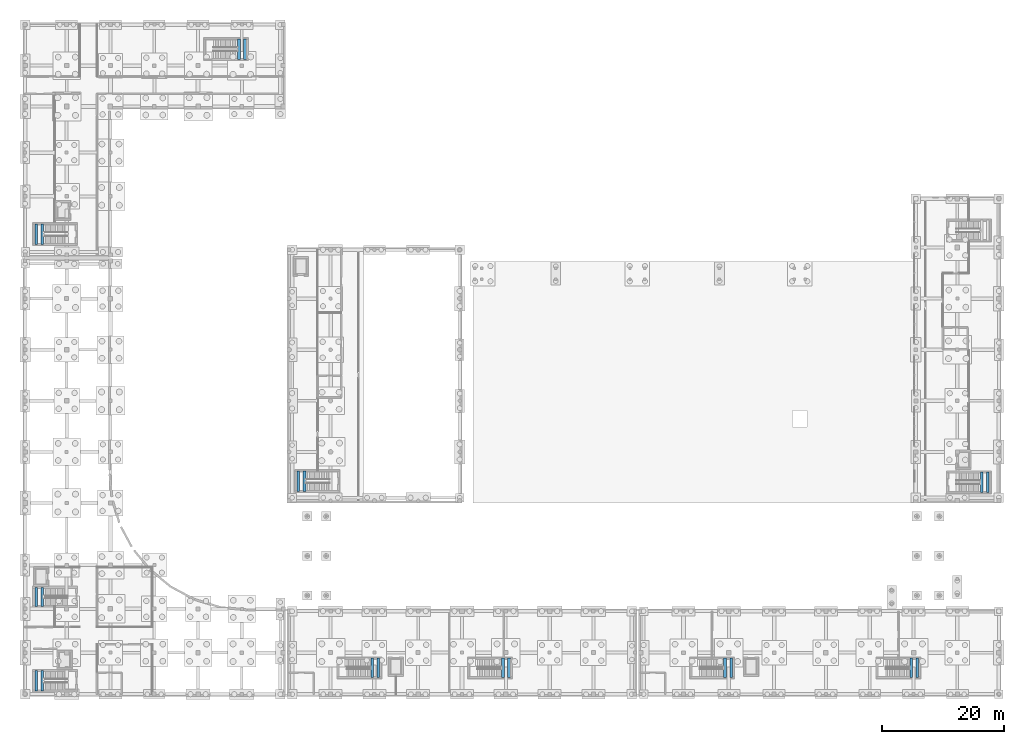
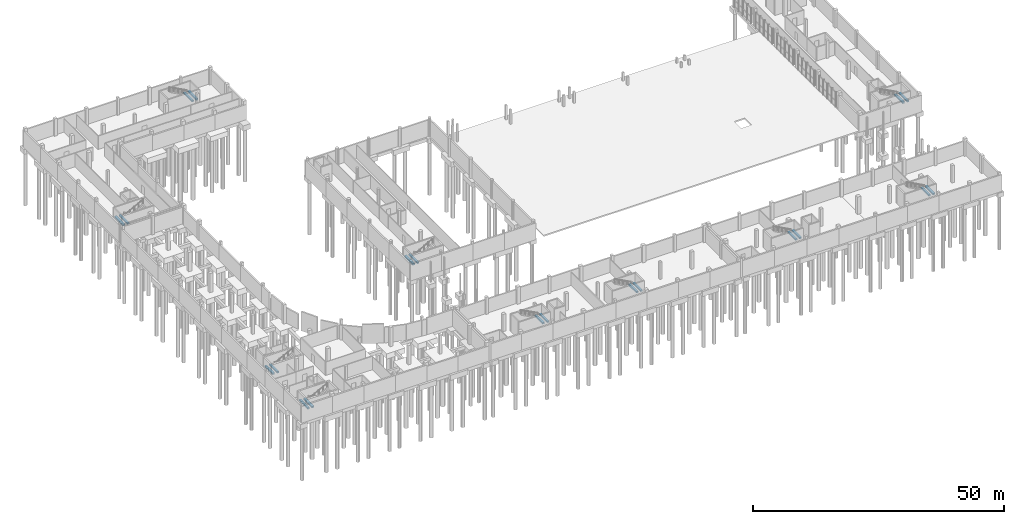
# One storey, part 17 of 41: 20 beams.
"""IFC4 building model written with IfcOpenShell, lengths in metres."""

from ifc_helpers import new_model, si_unit, direction, frame, origin, origin_2d, place, context, subcontext, project, spatial, rectangle, extrude, material, material_profile, profile_set, type_object, element, save


model = new_model("IFC4")

# Units and contexts
model_context = context("Model", 3, precision=1e-05, world=origin(), true_north=direction((0.0, 1.0)))
body_context = subcontext(model_context, "Body", "Model", "MODEL_VIEW")
ifc_project = project(units=[si_unit("LENGTHUNIT", "METRE"), si_unit("AREAUNIT", "SQUARE_METRE"), si_unit("VOLUMEUNIT", "CUBIC_METRE"), si_unit("PLANEANGLEUNIT", "RADIAN"), si_unit("MASSUNIT", "GRAM", prefix="KILO")], contexts=[model_context])

# Site, building, storey
site_placement = place(None, origin())
site = spatial("IfcSite", under=ifc_project, at=site_placement, CompositionType="ELEMENT")
building_placement = place(site_placement, origin())
building = spatial("IfcBuilding", under=site, at=building_placement, Name="Vardoun Plaza Health Centre", CompositionType="ELEMENT")
storey_placement = place(building_placement, frame((0.0, 0.0, -4.5)))
storey = spatial("IfcBuildingStorey", under=building, at=storey_placement, Name="B1", CompositionType="ELEMENT", Elevation=-4.5)

# Beams
ifc_material = material(Name="Concrete C35/45", Category="concrete")
ifc_material_profile = material_profile(ifc_material, rectangle(XDim=0.449951171875, YDim=0.3798828125, at=origin_2d()), Name="RC-BM 450x380")
ifc_profile_set = profile_set([ifc_material_profile], Name="Concrete C35/45")
beam_type = type_object("IfcBeamType", Name="B-01", PredefinedType="BEAM", material=ifc_profile_set)
for number, where, z_axis, x_axis, name in (
    (1, (6.679931640625, 5.39990234375, 1.860107421875), (0.0, 1.0, 0.0), (-1.0, 0.0, 0.0), "Stair ST-C1-B1 Landing Beam 1"),
    (2, (7.679931640625, 5.39990234375, 1.860107421875), (0.0, 1.0, 0.0), (-1.0, 0.0, 0.0), "Stair ST-C1-B1 Landing Beam 2"),
    (3, (162.1201171875, 38.0, 1.860107421875), (0.0, 1.0, 0.0), (-1.0, 0.0, 0.0), "Stair ST-C10-B1 Landing Beam 1"),
    (4, (163.1201171875, 38.0, 1.860107421875), (0.0, 1.0, 0.0), (-1.0, 0.0, 0.0), "Stair ST-C10-B1 Landing Beam 2"),
):
    element("IfcBeam", number, at=place(storey_placement, frame(where, z_axis=z_axis, x_axis=x_axis)), inside=storey, type_object=beam_type, Name=name, PredefinedType="BEAM", context=body_context, shape_type="SweptSolid", body=[
        extrude(rectangle(XDim=0.449951171875, YDim=0.3798828125, at=origin_2d()), origin(), (0.0, 0.0, 1.0), 3.400146484375),
    ])
for number, where, z_axis, x_axis, name in (
    (5, (6.679931640625, 19.300048828125, 1.860107421875), (0.0, 1.0, 0.0), (-1.0, 0.0, 0.0), "Stair ST-C2-B1 Landing Beam 1"),
    (6, (7.679931640625, 19.300048828125, 1.860107421875), (0.0, 1.0, 0.0), (-1.0, 0.0, 0.0), "Stair ST-C2-B1 Landing Beam 2"),
):
    element("IfcBeam", number, at=place(storey_placement, frame(where, z_axis=z_axis, x_axis=x_axis)), inside=storey, type_object=beam_type, Name=name, PredefinedType="BEAM", context=body_context, shape_type="SweptSolid", body=[
        extrude(rectangle(XDim=0.449951171875, YDim=0.3798828125, at=origin_2d()), origin(), (0.0, 0.0, 1.0), 3.14990234375),
    ])
for number, where, z_axis, x_axis, name in (
    (7, (6.679931640625, 78.800048828125, 1.860107421875), (0.0, 1.0, 0.0), (-1.0, 0.0, 0.0), "Stair ST-C3-B1 Landing Beam 1"),
    (8, (7.679931640625, 78.800048828125, 1.860107421875), (0.0, 1.0, 0.0), (-1.0, 0.0, 0.0), "Stair ST-C3-B1 Landing Beam 2"),
):
    element("IfcBeam", number, at=place(storey_placement, frame(where, z_axis=z_axis, x_axis=x_axis)), inside=storey, type_object=beam_type, Name=name, PredefinedType="BEAM", context=body_context, shape_type="SweptSolid", body=[
        extrude(rectangle(XDim=0.449951171875, YDim=0.3798828125, at=origin_2d()), origin(), (0.0, 0.0, 1.0), 3.39990234375),
    ])
for number, where, z_axis, x_axis, name in (
    (9, (40.02001953125, 109.199951171875, 1.860107421875), (0.0, 1.0, 0.0), (-1.0, 0.0, 0.0), "Stair ST-C4-B1 Landing Beam 1"),
    (10, (41.02001953125, 109.199951171875, 1.860107421875), (0.0, 1.0, 0.0), (-1.0, 0.0, 0.0), "Stair ST-C4-B1 Landing Beam 2"),
    (11, (49.780029296875, 38.199951171875, 1.860107421875), (0.0, 1.0, 0.0), (-1.0, 0.0, 0.0), "Stair ST-C5-B1 Landing Beam 1"),
    (12, (50.780029296875, 38.199951171875, 1.860107421875), (0.0, 1.0, 0.0), (-1.0, 0.0, 0.0), "Stair ST-C5-B1 Landing Beam 2"),
):
    element("IfcBeam", number, at=place(storey_placement, frame(where, z_axis=z_axis, x_axis=x_axis)), inside=storey, type_object=beam_type, Name=name, PredefinedType="BEAM", context=body_context, shape_type="SweptSolid", body=[
        extrude(rectangle(XDim=0.449951171875, YDim=0.3798828125, at=origin_2d()), origin(), (0.0, 0.0, 1.0), 3.400146484375),
    ])
for number, where, z_axis, x_axis, name in (
    (13, (61.919921875, 7.60009765625, 1.860107421875), (0.0, 1.0, 0.0), (-1.0, 0.0, 0.0), "Stair ST-C6-B1 Landing Beam 1"),
    (14, (62.919921875, 7.60009765625, 1.860107421875), (0.0, 1.0, 0.0), (-1.0, 0.0, 0.0), "Stair ST-C6-B1 Landing Beam 2"),
    (15, (83.419921875, 7.60009765625, 1.860107421875), (0.0, 1.0, 0.0), (-1.0, 0.0, 0.0), "Stair ST-C7-B1 Landing Beam 1"),
    (16, (84.419921875, 7.60009765625, 1.860107421875), (0.0, 1.0, 0.0), (-1.0, 0.0, 0.0), "Stair ST-C7-B1 Landing Beam 2"),
    (17, (119.919921875, 7.60009765625, 1.860107421875), (0.0, 1.0, 0.0), (-1.0, 0.0, 0.0), "Stair ST-C8-B1 Landing Beam 1"),
    (18, (120.919921875, 7.60009765625, 1.860107421875), (0.0, 1.0, 0.0), (-1.0, 0.0, 0.0), "Stair ST-C8-B1 Landing Beam 2"),
    (19, (150.52001953125, 7.60009765625, 1.860107421875), (0.0, 1.0, 0.0), (-1.0, 0.0, 0.0), "Stair ST-C9-B1 Landing Beam 1"),
    (20, (151.52001953125, 7.60009765625, 1.860107421875), (0.0, 1.0, 0.0), (-1.0, 0.0, 0.0), "Stair ST-C9-B1 Landing Beam 2"),
):
    element("IfcBeam", number, at=place(storey_placement, frame(where, z_axis=z_axis, x_axis=x_axis)), inside=storey, type_object=beam_type, Name=name, PredefinedType="BEAM", context=body_context, shape_type="SweptSolid", body=[
        extrude(rectangle(XDim=0.449951171875, YDim=0.3798828125, at=origin_2d()), origin(), (0.0, 0.0, 1.0), 3.199951171875),
    ])

save(model, "model.ifc")
